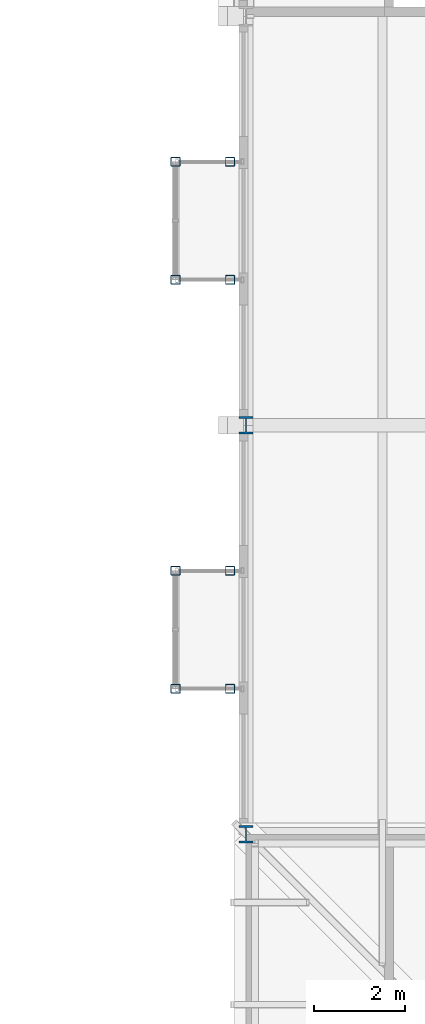
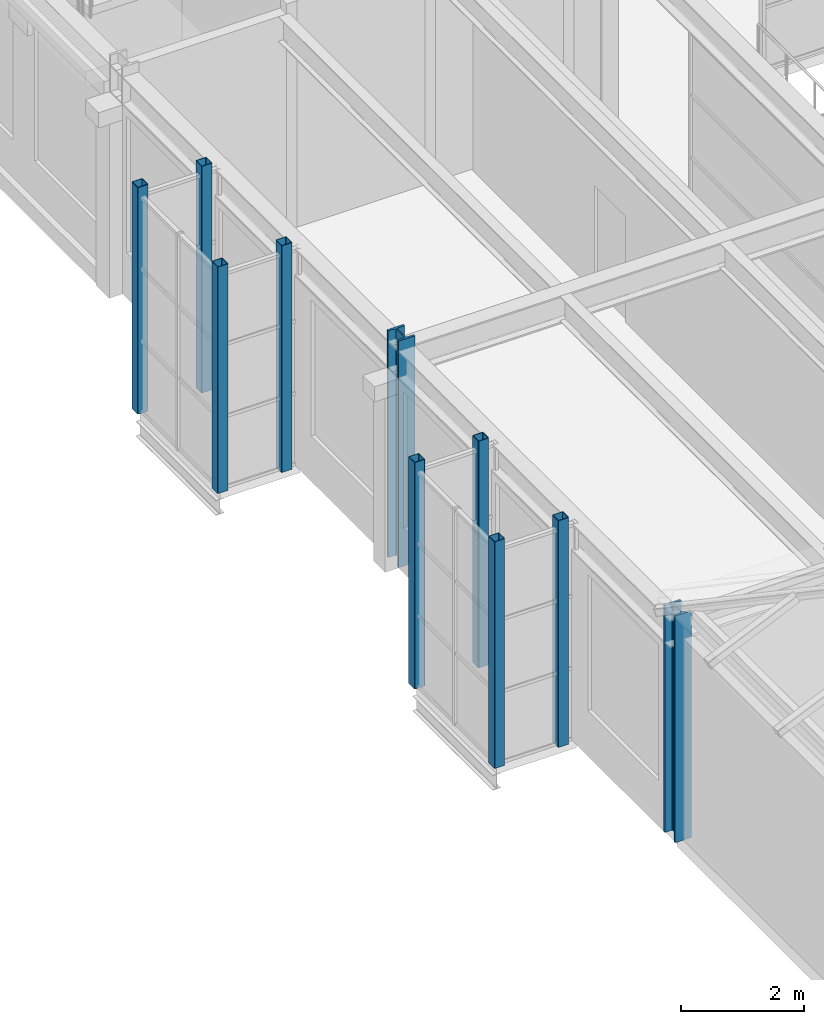
# One storey, part 2 of 149: 10 columns.
"""IFC4 building model written with IfcOpenShell, lengths in metres."""

from ifc_helpers import new_model, si_unit, direction, frame, origin, origin_2d, place, context, subcontext, project, spatial, hollow_rectangle, i_section, extrude, material, material_profile, profile_set, type_object, element, save


model = new_model("IFC4")

# Units and contexts
model_context = context("Model", 3, precision=1e-05, world=origin(), true_north=direction((0.0, 1.0)))
body_context = subcontext(model_context, "Body", "Model", "MODEL_VIEW")
ifc_project = project(units=[si_unit("LENGTHUNIT", "METRE"), si_unit("AREAUNIT", "SQUARE_METRE"), si_unit("VOLUMEUNIT", "CUBIC_METRE"), si_unit("PLANEANGLEUNIT", "RADIAN"), si_unit("MASSUNIT", "GRAM", prefix="KILO")], contexts=[model_context])

# Site, building, storey
site_placement = place(None, origin())
site = spatial("IfcSite", under=ifc_project, at=site_placement, CompositionType="ELEMENT")
building_placement = place(site_placement, origin())
building = spatial("IfcBuilding", under=site, at=building_placement, Name="Kallimachos Central Library", CompositionType="ELEMENT")
storey_placement = place(building_placement, frame((0.0, 0.0, 9.89990234375)))
storey = spatial("IfcBuildingStorey", under=building, at=storey_placement, Name="L02", CompositionType="ELEMENT", Elevation=9.89990234375)

# Columns
ifc_material_1 = material(Name="Steel S355J2", Category="steel")
ifc_material_profile_1 = material_profile(ifc_material_1, i_section(OverallWidth=0.30908203125, OverallDepth=0.376953125, WebThickness=0.02099609375, FlangeThickness=0.0400390625, FilletRadius=0.027099609375, at=origin_2d()), Name="HEM 340")
ifc_profile_set_1 = profile_set([ifc_material_profile_1], Name="Steel S355J2")
column_type_1 = type_object("IfcColumnType", Name="HEM 340 column", PredefinedType="COLUMN", material=ifc_profile_set_1)
for number, where, z_axis, x_axis, name in (
    (1, (65.5, 57.0, 0.0), (0.0, 0.0, 1.0), (1.0, 0.0, 0.0), "V4-COL-L02-003"),
    (2, (65.5, 66.0, 0.0), (0.0, 0.0, 1.0), (1.0, 0.0, 0.0), "V4-COL-L02-007"),
):
    element("IfcColumn", number, at=place(storey_placement, frame(where, z_axis=z_axis, x_axis=x_axis)), inside=storey, type_object=column_type_1, Name=name, PredefinedType="COLUMN", context=body_context, shape_type="SweptSolid", body=[
        extrude(i_section(OverallWidth=0.30908203125, OverallDepth=0.376953125, WebThickness=0.02099609375, FlangeThickness=0.0400390625, FilletRadius=0.027099609375, at=origin_2d()), origin(), (0.0, 0.0, 1.0), 4.5),
    ])
ifc_material_2 = material(Name="Steel S355J2H", Category="steel")
ifc_material_profile_2 = material_profile(ifc_material_2, hollow_rectangle(XDim=0.199951171875, YDim=0.199951171875, WallThickness=0.010009765625, InnerFilletRadius=0.010009765625, OuterFilletRadius=0.014892578125, at=origin_2d()), Name="SHS 200x200x10")
ifc_profile_set_2 = profile_set([ifc_material_profile_2], Name="Steel S355J2H")
column_type_2 = type_object("IfcColumnType", Name="SHS 200x200x10 column", PredefinedType="COLUMN", material=ifc_profile_set_2)
for number, where, z_axis, x_axis, name in (
    (3, (65.14990234375, 60.199951171875, 0.0), (0.0, 0.0, 1.0), (1.0, 0.0, 0.0), "Tribune bay W1 column 1"),
    (4, (65.14990234375, 62.800048828125, 0.0), (0.0, 0.0, 1.0), (1.0, 0.0, 0.0), "Tribune bay W1 column 2"),
    (5, (63.949951171875, 60.199951171875, 0.0), (0.0, 0.0, 1.0), (1.0, 0.0, 0.0), "Tribune bay W1 column 3"),
    (6, (63.949951171875, 62.800048828125, 0.0), (0.0, 0.0, 1.0), (1.0, 0.0, 0.0), "Tribune bay W1 column 4"),
    (7, (65.14990234375, 69.199951171875, 0.0), (0.0, 0.0, 1.0), (1.0, 0.0, 0.0), "Tribune bay W2 column 1"),
    (8, (65.14990234375, 71.800048828125, 0.0), (0.0, 0.0, 1.0), (1.0, 0.0, 0.0), "Tribune bay W2 column 2"),
    (9, (63.949951171875, 69.199951171875, 0.0), (0.0, 0.0, 1.0), (1.0, 0.0, 0.0), "Tribune bay W2 column 3"),
    (10, (63.949951171875, 71.800048828125, 0.0), (0.0, 0.0, 1.0), (1.0, 0.0, 0.0), "Tribune bay W2 column 4"),
):
    element("IfcColumn", number, at=place(storey_placement, frame(where, z_axis=z_axis, x_axis=x_axis)), inside=storey, type_object=column_type_2, Name=name, PredefinedType="COLUMN", context=body_context, shape_type="SweptSolid", body=[
        extrude(hollow_rectangle(XDim=0.199951171875, YDim=0.199951171875, WallThickness=0.010009765625, InnerFilletRadius=0.010009765625, OuterFilletRadius=0.014892578125, at=origin_2d()), origin(), (0.0, 0.0, 1.0), 4.5),
    ])

save(model, "model.ifc")
